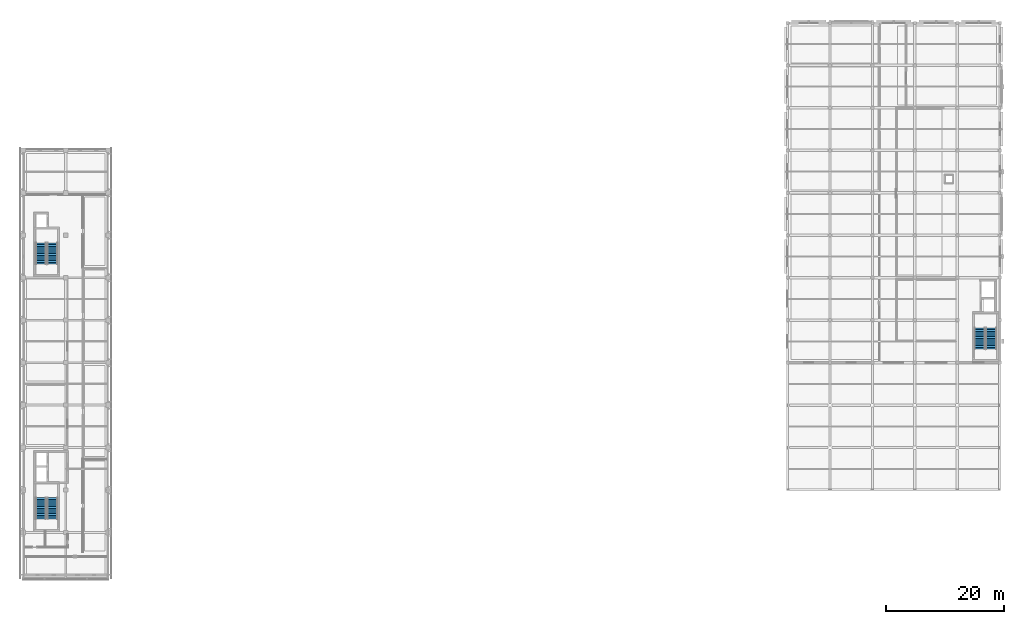
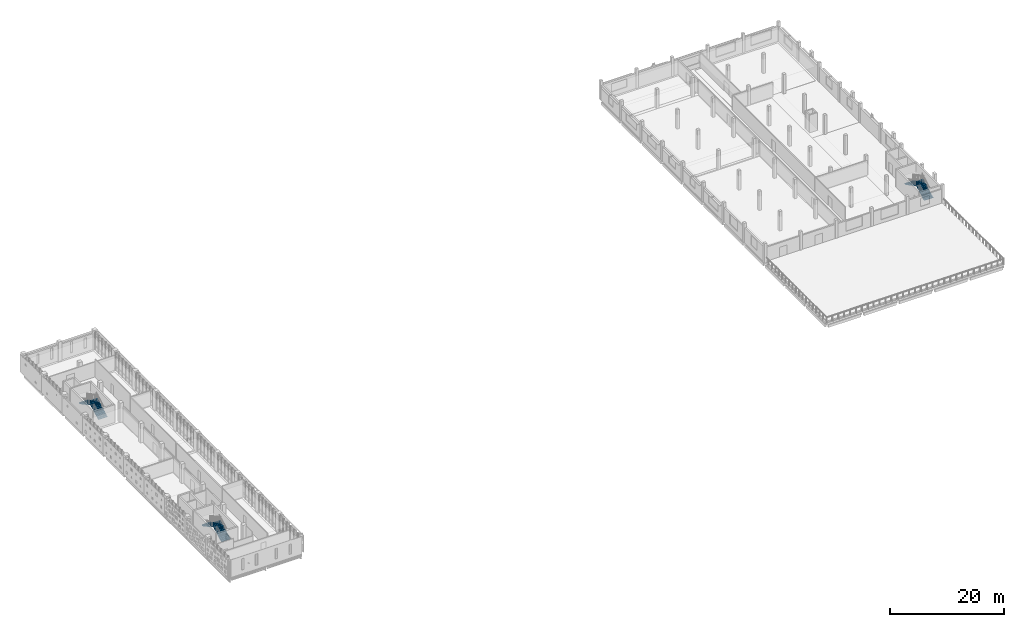
# One storey, part 24 of 33: 6 stair flights, 3 elements without a shape of their own.
"""IFC4 building model written with IfcOpenShell, lengths in metres."""

from ifc_helpers import new_model, si_unit, direction, frame, origin, place, context, subcontext, project, spatial, polyline, outline, extrude, material, type_object, element, aggregate, save


model = new_model("IFC4")

# Units and contexts
model_context = context("Model", 3, precision=1e-05, world=origin(), true_north=direction((0.0, 1.0)))
body_context = subcontext(model_context, "Body", "Model", "MODEL_VIEW")
ifc_project = project(units=[si_unit("LENGTHUNIT", "METRE"), si_unit("AREAUNIT", "SQUARE_METRE"), si_unit("VOLUMEUNIT", "CUBIC_METRE"), si_unit("PLANEANGLEUNIT", "RADIAN"), si_unit("MASSUNIT", "GRAM", prefix="KILO")], contexts=[model_context])

# Site, building, storey
site_placement = place(None, origin())
site = spatial("IfcSite", under=ifc_project, at=site_placement, CompositionType="ELEMENT")
building_placement = place(site_placement, origin())
building = spatial("IfcBuilding", under=site, at=building_placement, Name="Valkovuoma Quantum and Materials Research Institute", CompositionType="ELEMENT")
storey_placement = place(building_placement, frame((0.0, 0.0, 21.43994140625)))
storey = spatial("IfcBuildingStorey", under=building, at=storey_placement, Name="L05", CompositionType="ELEMENT", Elevation=21.43994140625)

# Stair, stair flights
ifc_material_1 = material(Name="Concrete C40/50", Category="concrete")
stair_type = type_object("IfcStairType", Name="Stair-ST-COR", PredefinedType="HALF_TURN_STAIR", material=ifc_material_1)
stair_1_placement = place(storey_placement, origin())
stair_1 = element("IfcStair", 1, at=stair_1_placement, inside=storey, type_object=stair_type, Name="L05 Exit Stair ST-1", PredefinedType="HALF_TURN_STAIR")
ifc_material_2 = material(Name="Concrete C40/50", Category="concrete")
stair_flight_type = type_object("IfcStairFlightType", Name="Flight-STF-145", PredefinedType="STRAIGHT", material=ifc_material_2)
stair_flight_1_placement = place(storey_placement, frame((4.949951171875, 31.10009765625, 0.0), z_axis=(0.0, 0.0, 1.0), x_axis=(0.0, 1.0, 0.0)))
stair_flight_1 = element("IfcStairFlight", 2, at=stair_flight_1_placement, type_object=stair_flight_type, Name="ST-1 flight 1", NumberOfRisers=13, NumberOfTreads=12, PredefinedType="STRAIGHT", RiserHeight=0.16, TreadLength=0.3, context=body_context, shape_type="SweptSolid", body=[
    extrude(outline(polyline([(0.0, 0.0), (0.0, 0.159912109375), (0.300048828125, 0.159912109375), (0.300048828125, 0.320068359375), (0.60009765625, 0.320068359375), (0.60009765625, 0.47998046875), (0.89990234375, 0.47998046875), (0.89990234375, 0.639892578125), (1.199951171875, 0.639892578125), (1.199951171875, 0.800048828125), (1.5, 0.800048828125), (1.5, 0.9599609375), (1.800048828125, 0.9599609375), (1.800048828125, 1.1201171875), (2.10009765625, 1.1201171875), (2.10009765625, 1.280029296875), (2.39990234375, 1.280029296875), (2.39990234375, 1.43994140625), (2.699951171875, 1.43994140625), (2.699951171875, 1.60009765625), (3.0, 1.60009765625), (3.0, 1.760009765625), (3.300048828125, 1.760009765625), (3.300048828125, 1.919921875), (3.60009765625, 1.919921875), (3.60009765625, 2.080078125), (3.60009765625, 1.75), (0.318603515625, 0.0), (0.0, 0.0)])), frame((0.0, 0.89990234375, 0.0), z_axis=(0.0, -1.0, 0.0), x_axis=(1.0, 0.0, 0.0)), (0.0, 0.0, 1.0), 1.800048828125),
])
stair_flight_2_placement = place(storey_placement, frame((3.0, 34.699951171875, 2.080078125), z_axis=(0.0, 0.0, 1.0), x_axis=(0.0, -1.0, 0.0)))
stair_flight_2 = element("IfcStairFlight", 3, at=stair_flight_2_placement, type_object=stair_flight_type, Name="ST-1 flight 2", NumberOfRisers=13, NumberOfTreads=12, PredefinedType="STRAIGHT", RiserHeight=0.16, TreadLength=0.3, context=body_context, shape_type="SweptSolid", body=[
    extrude(outline(polyline([(0.0, 0.0), (0.0, 0.159912109375), (0.300048828125, 0.159912109375), (0.300048828125, 0.320068359375), (0.60009765625, 0.320068359375), (0.60009765625, 0.47998046875), (0.89990234375, 0.47998046875), (0.89990234375, 0.639892578125), (1.199951171875, 0.639892578125), (1.199951171875, 0.800048828125), (1.5, 0.800048828125), (1.5, 0.9599609375), (1.800048828125, 0.9599609375), (1.800048828125, 1.1201171875), (2.10009765625, 1.1201171875), (2.10009765625, 1.280029296875), (2.39990234375, 1.280029296875), (2.39990234375, 1.43994140625), (2.699951171875, 1.43994140625), (2.699951171875, 1.60009765625), (3.0, 1.60009765625), (3.0, 1.760009765625), (3.300048828125, 1.760009765625), (3.300048828125, 1.919921875), (3.60009765625, 1.919921875), (3.60009765625, 2.080078125), (3.60009765625, 1.75), (0.318603515625, 0.0), (0.0, 0.0)])), frame((0.0, 0.89990234375, 0.0), z_axis=(0.0, -1.0, 0.0), x_axis=(1.0, 0.0, 0.0)), (0.0, 0.0, 1.0), 1.800048828125),
])
aggregate(stair_1, [stair_flight_1, stair_flight_2])

stair_2_placement = place(storey_placement, origin())
stair_2 = element("IfcStair", 4, at=stair_2_placement, inside=storey, type_object=stair_type, Name="L05 Exit Stair ST-2", PredefinedType="HALF_TURN_STAIR")
stair_flight_3_placement = place(storey_placement, frame((4.949951171875, 74.300048828125, 0.0), z_axis=(0.0, 0.0, 1.0), x_axis=(0.0, 1.0, 0.0)))
stair_flight_3 = element("IfcStairFlight", 5, at=stair_flight_3_placement, type_object=stair_flight_type, Name="ST-2 flight 1", NumberOfRisers=13, NumberOfTreads=12, PredefinedType="STRAIGHT", RiserHeight=0.16, TreadLength=0.3, context=body_context, shape_type="SweptSolid", body=[
    extrude(outline(polyline([(0.0, 0.0), (0.0, 0.159912109375), (0.300048828125, 0.159912109375), (0.300048828125, 0.320068359375), (0.60009765625, 0.320068359375), (0.60009765625, 0.47998046875), (0.89990234375, 0.47998046875), (0.89990234375, 0.639892578125), (1.199951171875, 0.639892578125), (1.199951171875, 0.800048828125), (1.5, 0.800048828125), (1.5, 0.9599609375), (1.800048828125, 0.9599609375), (1.800048828125, 1.1201171875), (2.10009765625, 1.1201171875), (2.10009765625, 1.280029296875), (2.39990234375, 1.280029296875), (2.39990234375, 1.43994140625), (2.699951171875, 1.43994140625), (2.699951171875, 1.60009765625), (3.0, 1.60009765625), (3.0, 1.760009765625), (3.300048828125, 1.760009765625), (3.300048828125, 1.919921875), (3.60009765625, 1.919921875), (3.60009765625, 2.080078125), (3.60009765625, 1.75), (0.318603515625, 0.0), (0.0, 0.0)])), frame((0.0, 0.89990234375, 0.0), z_axis=(0.0, -1.0, 0.0), x_axis=(1.0, 0.0, 0.0)), (0.0, 0.0, 1.0), 1.800048828125),
])
stair_flight_4_placement = place(storey_placement, frame((3.0, 77.89990234375, 2.080078125), z_axis=(0.0, 0.0, 1.0), x_axis=(0.0, -1.0, 0.0)))
stair_flight_4 = element("IfcStairFlight", 6, at=stair_flight_4_placement, type_object=stair_flight_type, Name="ST-2 flight 2", NumberOfRisers=13, NumberOfTreads=12, PredefinedType="STRAIGHT", RiserHeight=0.16, TreadLength=0.3, context=body_context, shape_type="SweptSolid", body=[
    extrude(outline(polyline([(0.0, 0.0), (0.0, 0.159912109375), (0.300048828125, 0.159912109375), (0.300048828125, 0.320068359375), (0.60009765625, 0.320068359375), (0.60009765625, 0.47998046875), (0.89990234375, 0.47998046875), (0.89990234375, 0.639892578125), (1.199951171875, 0.639892578125), (1.199951171875, 0.800048828125), (1.5, 0.800048828125), (1.5, 0.9599609375), (1.800048828125, 0.9599609375), (1.800048828125, 1.1201171875), (2.10009765625, 1.1201171875), (2.10009765625, 1.280029296875), (2.39990234375, 1.280029296875), (2.39990234375, 1.43994140625), (2.699951171875, 1.43994140625), (2.699951171875, 1.60009765625), (3.0, 1.60009765625), (3.0, 1.760009765625), (3.300048828125, 1.760009765625), (3.300048828125, 1.919921875), (3.60009765625, 1.919921875), (3.60009765625, 2.080078125), (3.60009765625, 1.75), (0.318603515625, 0.0), (0.0, 0.0)])), frame((0.0, 0.89990234375, 0.0), z_axis=(0.0, -1.0, 0.0), x_axis=(1.0, 0.0, 0.0)), (0.0, 0.0, 1.0), 1.800048828125),
])
aggregate(stair_2, [stair_flight_3, stair_flight_4])

stair_3_placement = place(storey_placement, origin())
stair_3 = element("IfcStair", 7, at=stair_3_placement, inside=storey, type_object=stair_type, Name="L05 Exit Stair ST-3", PredefinedType="HALF_TURN_STAIR")
stair_flight_5_placement = place(storey_placement, frame((164.14990234375, 59.89990234375, 0.0), z_axis=(0.0, 0.0, 1.0), x_axis=(0.0, 1.0, 0.0)))
stair_flight_5 = element("IfcStairFlight", 8, at=stair_flight_5_placement, type_object=stair_flight_type, Name="ST-3 flight 1", NumberOfRisers=13, NumberOfTreads=12, PredefinedType="STRAIGHT", RiserHeight=0.16, TreadLength=0.3, context=body_context, shape_type="SweptSolid", body=[
    extrude(outline(polyline([(0.0, 0.0), (0.0, 0.159912109375), (0.300048828125, 0.159912109375), (0.300048828125, 0.320068359375), (0.60009765625, 0.320068359375), (0.60009765625, 0.47998046875), (0.89990234375, 0.47998046875), (0.89990234375, 0.639892578125), (1.199951171875, 0.639892578125), (1.199951171875, 0.800048828125), (1.5, 0.800048828125), (1.5, 0.9599609375), (1.800048828125, 0.9599609375), (1.800048828125, 1.1201171875), (2.10009765625, 1.1201171875), (2.10009765625, 1.280029296875), (2.39990234375, 1.280029296875), (2.39990234375, 1.43994140625), (2.699951171875, 1.43994140625), (2.699951171875, 1.60009765625), (3.0, 1.60009765625), (3.0, 1.760009765625), (3.300048828125, 1.760009765625), (3.300048828125, 1.919921875), (3.60009765625, 1.919921875), (3.60009765625, 2.080078125), (3.60009765625, 1.75), (0.318603515625, 0.0), (0.0, 0.0)])), frame((0.0, 0.89990234375, 0.0), z_axis=(0.0, -1.0, 0.0), x_axis=(1.0, 0.0, 0.0)), (0.0, 0.0, 1.0), 1.800048828125),
])
stair_flight_6_placement = place(storey_placement, frame((162.199951171875, 63.5, 2.080078125), z_axis=(0.0, 0.0, 1.0), x_axis=(0.0, -1.0, 0.0)))
stair_flight_6 = element("IfcStairFlight", 9, at=stair_flight_6_placement, type_object=stair_flight_type, Name="ST-3 flight 2", NumberOfRisers=13, NumberOfTreads=12, PredefinedType="STRAIGHT", RiserHeight=0.16, TreadLength=0.3, context=body_context, shape_type="SweptSolid", body=[
    extrude(outline(polyline([(0.0, 0.0), (0.0, 0.159912109375), (0.300048828125, 0.159912109375), (0.300048828125, 0.320068359375), (0.60009765625, 0.320068359375), (0.60009765625, 0.47998046875), (0.89990234375, 0.47998046875), (0.89990234375, 0.639892578125), (1.199951171875, 0.639892578125), (1.199951171875, 0.800048828125), (1.5, 0.800048828125), (1.5, 0.9599609375), (1.800048828125, 0.9599609375), (1.800048828125, 1.1201171875), (2.10009765625, 1.1201171875), (2.10009765625, 1.280029296875), (2.39990234375, 1.280029296875), (2.39990234375, 1.43994140625), (2.699951171875, 1.43994140625), (2.699951171875, 1.60009765625), (3.0, 1.60009765625), (3.0, 1.760009765625), (3.300048828125, 1.760009765625), (3.300048828125, 1.919921875), (3.60009765625, 1.919921875), (3.60009765625, 2.080078125), (3.60009765625, 1.75), (0.318603515625, 0.0), (0.0, 0.0)])), frame((0.0, 0.89990234375, 0.0), z_axis=(0.0, -1.0, 0.0), x_axis=(1.0, 0.0, 0.0)), (0.0, 0.0, 1.0), 1.800048828125),
])
aggregate(stair_3, [stair_flight_5, stair_flight_6])

save(model, "model.ifc")
